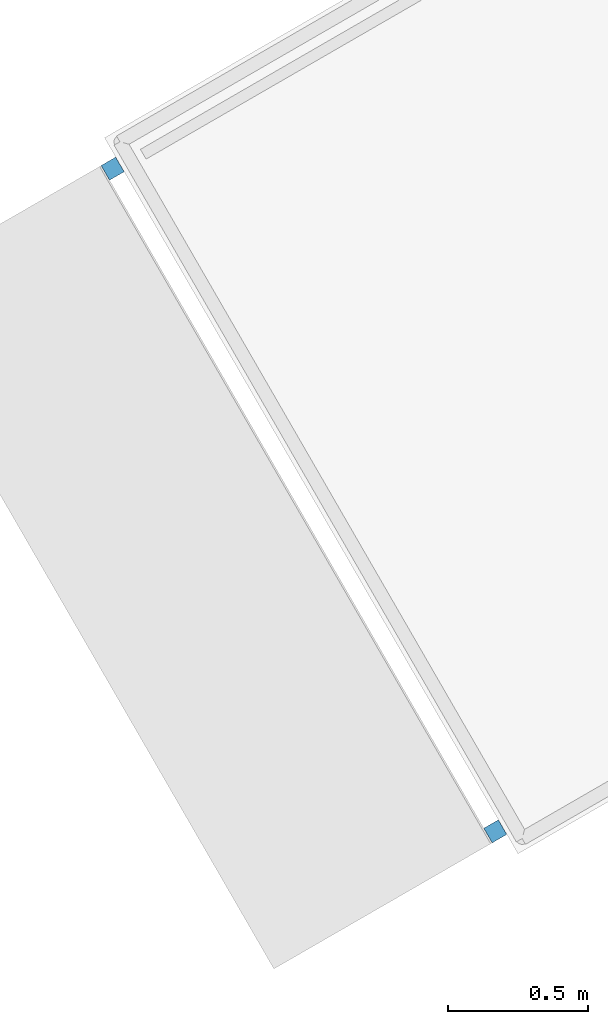
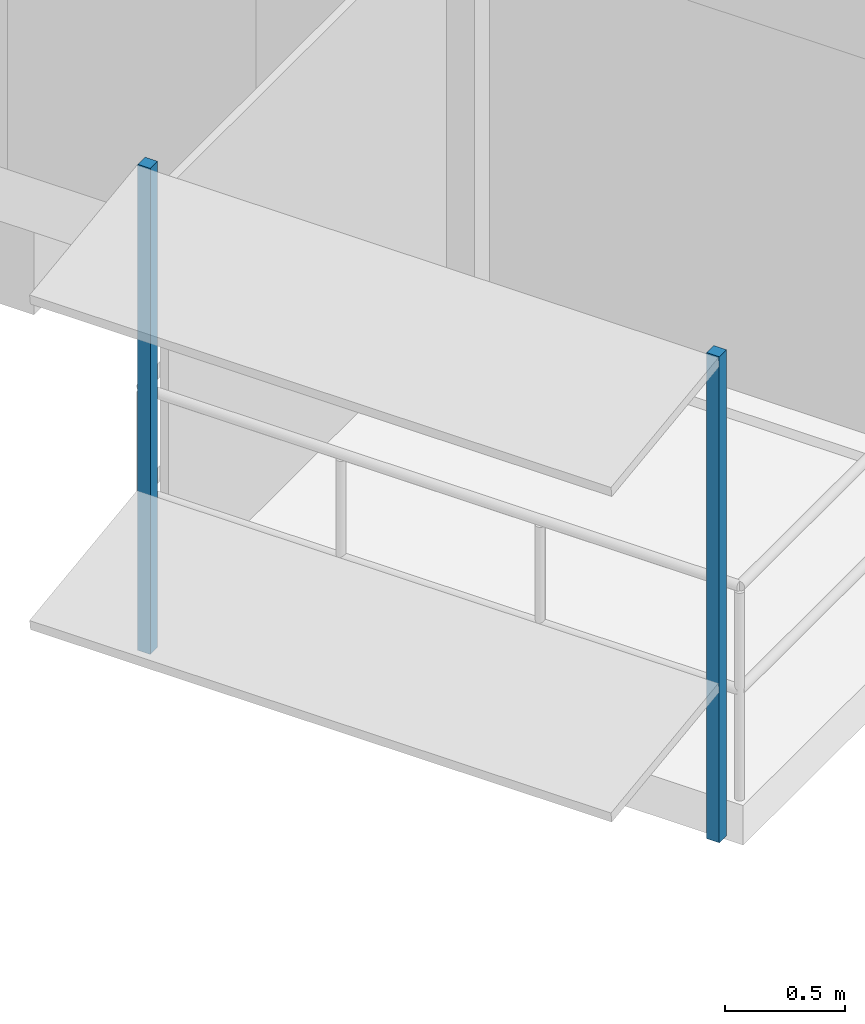
# One storey, part 11 of 17: 2 discrete accessories.
"""IFC4 building model written with IfcOpenShell, lengths in metres."""

from ifc_helpers import new_model, si_unit, direction, frame, origin, origin_2d, place, context, subcontext, project, spatial, rectangle, extrude, material, type_object, element, save


model = new_model("IFC4")

# Units and contexts
model_context = context("Model", 3, precision=1e-05, world=origin(), true_north=direction((0.0, 1.0)))
body_context = subcontext(model_context, "Body", "Model", "MODEL_VIEW")
ifc_project = project(units=[si_unit("LENGTHUNIT", "METRE"), si_unit("AREAUNIT", "SQUARE_METRE"), si_unit("VOLUMEUNIT", "CUBIC_METRE"), si_unit("PLANEANGLEUNIT", "RADIAN"), si_unit("MASSUNIT", "GRAM", prefix="KILO")], contexts=[model_context])

# Site, building, storey
site_placement = place(None, origin())
site = spatial("IfcSite", under=ifc_project, at=site_placement, CompositionType="ELEMENT")
building_placement = place(site_placement, origin())
building = spatial("IfcBuilding", under=site, at=building_placement, Name="Nakaniwa Court", CompositionType="ELEMENT")
storey_placement = place(building_placement, frame((0.0, 0.0, 206.39990234375)))
storey = spatial("IfcBuildingStorey", under=building, at=storey_placement, Name="L54", CompositionType="ELEMENT", Elevation=206.39990234375)

# Discrete accessories
ifc_material = material(Name="Black powder-coated steel bracket S275", Category="steel")
discrete_accessory_type = type_object("IfcDiscreteAccessoryType", Name="Black metal louvre bracket", PredefinedType="BRACKET", material=ifc_material)
for number, where, z_axis, x_axis, name in (
    (1, (59.105712890625, 66.02978515625, -0.229736328125), (0.0, 0.0, 1.0), (0.500016626402, -0.866015804314, 0.0), "L54 louvre bracket 02 1"),
    (2, (60.4697265625, 63.66748046875, -0.229736328125), (0.0, 0.0, 1.0), (0.500016626402, -0.866015804314, 0.0), "L54 louvre bracket 02 2"),
):
    element("IfcDiscreteAccessory", number, at=place(storey_placement, frame(where, z_axis=z_axis, x_axis=x_axis)), inside=storey, type_object=discrete_accessory_type, Name=name, PredefinedType="BRACKET", context=body_context, shape_type="SweptSolid", body=[
        extrude(rectangle(XDim=0.06005859375, YDim=0.06005859375, at=origin_2d()), origin(), (0.0, 0.0, 1.0), 2.46337890625),
    ])

save(model, "model.ifc")
